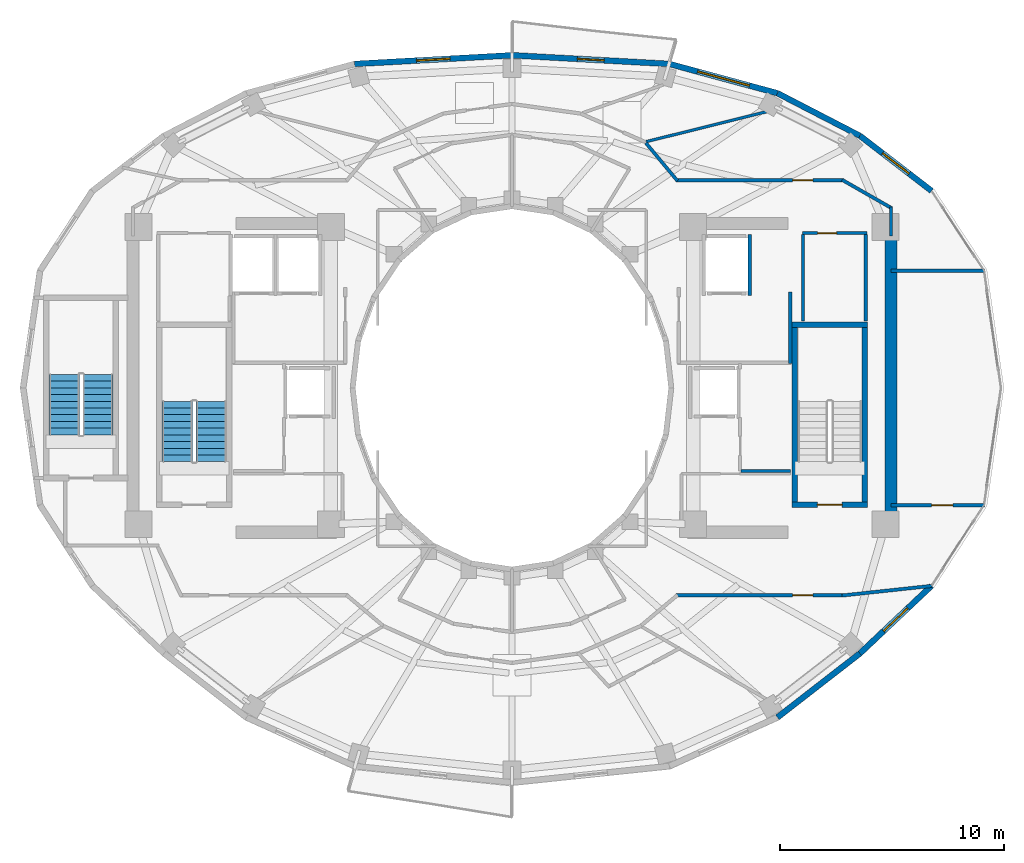
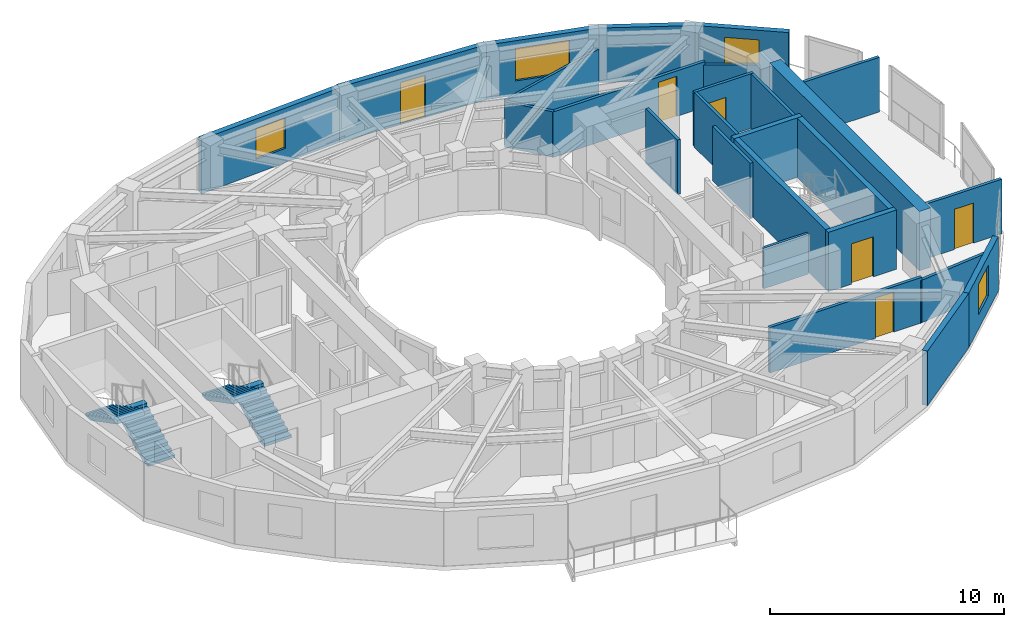
# One storey, part 9 of 12: 27 walls, 6 doors, 4 stair flights, 4 windows, 10 openings, 2 elements without a shape of their own.
"""IFC4 building model written with IfcOpenShell, lengths in metres."""

from ifc_helpers import new_model, si_unit, direction, frame, frame_2d, origin, place, context, subcontext, project, spatial, polyline, rectangle, outline, extrude, material, layer, layer_set, type_object, element, fill, aggregate, save


model = new_model("IFC4")

# Units and contexts
model_context = context("Model", 3, precision=1e-05, world=origin(), true_north=direction((0.0, 1.0)))
body_context = subcontext(model_context, "Body", "Model", "MODEL_VIEW")
ifc_project = project(units=[si_unit("LENGTHUNIT", "METRE"), si_unit("AREAUNIT", "SQUARE_METRE"), si_unit("VOLUMEUNIT", "CUBIC_METRE"), si_unit("PLANEANGLEUNIT", "RADIAN"), si_unit("MASSUNIT", "GRAM", prefix="KILO")], contexts=[model_context])

# Site, building, storey
site_placement = place(None, origin())
site = spatial("IfcSite", under=ifc_project, at=site_placement, CompositionType="ELEMENT")
building_placement = place(site_placement, origin())
building = spatial("IfcBuilding", under=site, at=building_placement, Name="Solvane Sanctuary Tower", CompositionType="ELEMENT")
storey_placement = place(building_placement, frame((0.0, 0.0, 214.0)))
storey = spatial("IfcBuildingStorey", under=building, at=storey_placement, Name="L65", CompositionType="ELEMENT", Elevation=214.0)

# Walls
ifc_material_1 = material(Name="Concrete C50/60", Category="concrete")
ifc_layer_1 = layer(ifc_material_1, 0.550048828125, Name="Concrete C50/60")
ifc_layer_set_1 = layer_set([ifc_layer_1], Name="Concrete C50/60")
wall_type_1 = type_object("IfcWallType", Name="Wall W-CORE-550", PredefinedType="SHEAR", material=ifc_layer_set_1)
wall_1_placement = place(storey_placement, frame((48.949951171875, 17.050048828125, 0.0), z_axis=(0.0, 0.0, 1.0), x_axis=(0.0, 1.0, 0.0)))
element("IfcWall", 1, at=wall_1_placement, inside=storey, type_object=wall_type_1, Name="L65 Core Shear Wall EC-E", PredefinedType="SHEAR", context=body_context, shape_type="SweptSolid", body=[
    extrude(rectangle(XDim=12.800048828125, YDim=0.550048828125, at=frame_2d((6.39990234375, 0.0))), origin(), (0.0, 0.0, 1.0), 3.10009765625),
])
ifc_material_2 = material(Name="Acoustic Gypsum Partition Board")
ifc_layer_2 = layer(ifc_material_2, 0.14990234375, Name="Acoustic Gypsum Partition Board")
ifc_layer_set_2 = layer_set([ifc_layer_2], Name="Acoustic Gypsum Partition Board")
wall_type_2 = type_object("IfcWallType", Name="Wall W-CORR-150", PredefinedType="PARTITIONING", material=ifc_layer_set_2)
wall_2_placement = place(storey_placement, frame((44.449951171875, 24.080078125, 0.0), z_axis=(0.0, 0.0, 1.0), x_axis=(0.0, 1.0, 0.0)))
element("IfcWall", 2, at=wall_2_placement, inside=storey, type_object=wall_type_2, Name="L65 East Firefighting Lobby East Wall", PredefinedType="PARTITIONING", context=body_context, shape_type="SweptSolid", body=[
    extrude(rectangle(XDim=3.199951171875, YDim=0.14990234375, at=frame_2d((1.60009765625, 0.0))), origin(), (0.0, 0.0, 1.0), 2.85498046875),
])

# Wall, opening, door
wall_3_placement = place(storey_placement, frame((48.949951171875, 17.754638671875, 0.0), z_axis=(0.0, 0.0, 1.0), x_axis=(1.0, 0.0, 0.0)))
wall_3 = element("IfcWall", 3, at=wall_3_placement, inside=storey, type_object=wall_type_2, Name="L65 East Shoulder South Wall", PredefinedType="PARTITIONING", context=body_context, shape_type="SweptSolid", body=[
    extrude(rectangle(XDim=4.174560546875, YDim=0.14990234375, at=frame_2d((2.08740234375, 0.0))), origin(), (0.0, 0.0, 1.0), 2.85498046875),
])
opening_1_placement = place(wall_3_placement, frame((1.817138671875, 0.0, 0.0)))
opening_1 = element("IfcOpeningElement", 4, at=opening_1_placement, cuts=wall_3, Name="Opening D-L65-18", PredefinedType="OPENING", context=body_context, shape_type="SweptSolid", body=[
    extrude(rectangle(XDim=0.949951171875, YDim=2.10009765625, at=frame_2d((0.47509765625, 1.050048828125))), frame((0.0, 0.0849609375, 0.0), z_axis=(0.0, -1.0, 0.0), x_axis=(1.0, 0.0, 0.0)), (0.0, 0.0, 1.0), 0.169921875),
])
ifc_material_3 = material(Name="Engineered Tropical Hardwood", Category="wood")
door_type_1 = type_object("IfcDoorType", Name="Door D-ROOM-950", OperationType="NOTDEFINED", PredefinedType="DOOR", material=ifc_material_3)
door_1_placement = place(opening_1_placement, origin())
door_1 = element("IfcDoor", 5, at=door_1_placement, inside=storey, type_object=door_type_1, Name="L65 East Shoulder South Door", OperationType="SINGLE_SWING_RIGHT", OverallHeight=2.10009765625, OverallWidth=0.949951171875, PredefinedType="DOOR", context=body_context, shape_type="SweptSolid", body=[
    extrude(rectangle(XDim=0.949951171875, YDim=2.10009765625, at=frame_2d((0.47509765625, 1.050048828125))), frame((0.0, 0.02490234375, 0.0), z_axis=(0.0, -1.0, 0.0), x_axis=(1.0, 0.0, 0.0)), (0.0, 0.0, 1.0), 0.050048828125),
])
fill(opening_1, door_1)

# Walls
wall_4_placement = place(storey_placement, frame((48.949951171875, 28.245361328125, 0.0), z_axis=(0.0, 0.0, 1.0), x_axis=(1.0, 0.0, 0.0)))
element("IfcWall", 6, at=wall_4_placement, inside=storey, type_object=wall_type_2, Name="L65 East Shoulder North Wall", PredefinedType="PARTITIONING", context=body_context, shape_type="SweptSolid", body=[
    extrude(rectangle(XDim=4.174560546875, YDim=0.14990234375, at=frame_2d((2.08740234375, 0.0))), origin(), (0.0, 0.0, 1.0), 2.85498046875),
])
wall_5_placement = place(storey_placement, frame((48.949951171875, 29.800048828125, 0.0), z_axis=(0.0, 0.0, 1.0), x_axis=(0.0, 1.0, 0.0)))
element("IfcWall", 7, at=wall_5_placement, inside=storey, type_object=wall_type_2, Name="L65 NE Corner Closer 1", PredefinedType="PARTITIONING", context=body_context, shape_type="SweptSolid", body=[
    extrude(rectangle(XDim=1.2900390625, YDim=0.14990234375, at=frame_2d((0.64501953125, 0.0))), origin(), (0.0, 0.0, 1.0), 2.85498046875),
])
wall_6_placement = place(storey_placement, frame((37.984130859375, 33.95458984375, 0.0), z_axis=(0.0, 0.0, 1.0), x_axis=(0.64030392053, -0.76812166312, 0.0)))
element("IfcWall", 8, at=wall_6_placement, inside=storey, type_object=wall_type_2, Name="L65 NE Corner Throat Wall", PredefinedType="PARTITIONING", context=body_context, shape_type="SweptSolid", body=[
    extrude(rectangle(XDim=2.2099609375, YDim=0.14990234375, at=frame_2d((1.10498046875, 0.0))), origin(), (0.0, 0.0, 1.0), 2.3759765625),
])

# Wall, opening, door
wall_7_placement = place(storey_placement, frame((39.330078125, 32.280029296875, 0.0), z_axis=(0.0, 0.0, 1.0), x_axis=(1.0, 0.0, 0.0)))
wall_7 = element("IfcWall", 9, at=wall_7_placement, inside=storey, type_object=wall_type_2, Name="L65 NE Corner Corridor Wall", PredefinedType="PARTITIONING", context=body_context, shape_type="SweptSolid", body=[
    extrude(rectangle(XDim=7.52001953125, YDim=0.14990234375, at=frame_2d((3.760009765625, 0.0))), origin(), (0.0, 0.0, 1.0), 2.3759765625),
])
opening_2_placement = place(wall_7_placement, frame((5.219970703125, 0.0, 0.0)))
opening_2 = element("IfcOpeningElement", 10, at=opening_2_placement, cuts=wall_7, Name="Opening D-L65-19", PredefinedType="OPENING", context=body_context, shape_type="SweptSolid", body=[
    extrude(rectangle(XDim=0.89990234375, YDim=2.10009765625, at=frame_2d((0.449951171875, 1.050048828125))), frame((0.0, 0.0849609375, 0.0), z_axis=(0.0, -1.0, 0.0), x_axis=(1.0, 0.0, 0.0)), (0.0, 0.0, 1.0), 0.169921875),
])
door_type_2 = type_object("IfcDoorType", Name="Door D-WET-900", OperationType="NOTDEFINED", PredefinedType="DOOR", material=ifc_material_3)
door_2_placement = place(opening_2_placement, origin())
door_2 = element("IfcDoor", 11, at=door_2_placement, inside=storey, type_object=door_type_2, Name="L65 NE Corner Salon Door", OperationType="SINGLE_SWING_LEFT", OverallHeight=2.10009765625, OverallWidth=0.89990234375, PredefinedType="DOOR", context=body_context, shape_type="SweptSolid", body=[
    extrude(rectangle(XDim=0.89990234375, YDim=2.10009765625, at=frame_2d((0.449951171875, 1.050048828125))), frame((0.0, 0.02490234375, 0.0), z_axis=(0.0, -1.0, 0.0), x_axis=(1.0, 0.0, 0.0)), (0.0, 0.0, 1.0), 0.050048828125),
])
fill(opening_2, door_2)

# Wall
wall_8_placement = place(storey_placement, frame((46.756591796875, 32.3046875, 0.0), z_axis=(0.0, 0.0, 1.0), x_axis=(0.867991349648, -0.496579315857, 0.0)))
element("IfcWall", 12, at=wall_8_placement, inside=storey, type_object=wall_type_2, Name="L65 NE Corner Wing Wall", PredefinedType="PARTITIONING", context=body_context, shape_type="SweptSolid", body=[
    extrude(rectangle(XDim=2.56689453125, YDim=0.14990234375, at=frame_2d((1.283447265625, 0.0))), origin(), (0.0, 0.0, 1.0), 2.219970703125),
])

# Wall, opening, door
wall_9_placement = place(storey_placement, frame((39.330078125, 13.719970703125, 0.0), z_axis=(0.0, 0.0, 1.0), x_axis=(1.0, 0.0, 0.0)))
wall_9 = element("IfcWall", 13, at=wall_9_placement, inside=storey, type_object=wall_type_2, Name="L65 SE Corner Corridor Wall", PredefinedType="PARTITIONING", context=body_context, shape_type="SweptSolid", body=[
    extrude(rectangle(XDim=7.52001953125, YDim=0.14990234375, at=frame_2d((3.760009765625, 0.0))), origin(), (0.0, 0.0, 1.0), 2.3759765625),
])
opening_3_placement = place(wall_9_placement, frame((5.219970703125, 0.0, 0.0)))
opening_3 = element("IfcOpeningElement", 14, at=opening_3_placement, cuts=wall_9, Name="Opening D-L65-23", PredefinedType="OPENING", context=body_context, shape_type="SweptSolid", body=[
    extrude(rectangle(XDim=0.89990234375, YDim=2.10009765625, at=frame_2d((0.449951171875, 1.050048828125))), frame((0.0, 0.0849609375, 0.0), z_axis=(0.0, -1.0, 0.0), x_axis=(1.0, 0.0, 0.0)), (0.0, 0.0, 1.0), 0.169921875),
])
door_3_placement = place(opening_3_placement, origin())
door_3 = element("IfcDoor", 15, at=door_3_placement, inside=storey, type_object=door_type_2, Name="L65 SE Corner Salon Door", OperationType="SINGLE_SWING_LEFT", OverallHeight=2.10009765625, OverallWidth=0.89990234375, PredefinedType="DOOR", context=body_context, shape_type="SweptSolid", body=[
    extrude(rectangle(XDim=0.89990234375, YDim=2.10009765625, at=frame_2d((0.449951171875, 1.050048828125))), frame((0.0, 0.02490234375, 0.0), z_axis=(0.0, -1.0, 0.0), x_axis=(1.0, 0.0, 0.0)), (0.0, 0.0, 1.0), 0.050048828125),
])
fill(opening_3, door_3)

# Wall
wall_10_placement = place(storey_placement, frame((46.750244140625, 13.714599609375, 0.0), z_axis=(0.0, 0.0, 1.0), x_axis=(0.994275802046, 0.106843949134, 0.0)))
element("IfcWall", 16, at=wall_10_placement, inside=storey, type_object=wall_type_2, Name="L65 SE Corner Wing Wall", PredefinedType="PARTITIONING", context=body_context, shape_type="SweptSolid", body=[
    extrude(rectangle(XDim=4.049072265625, YDim=0.14990234375, at=frame_2d((2.0244140625, 0.0))), origin(), (0.0, 0.0, 1.0), 2.219970703125),
])

# Wall, opening, window
ifc_material_4 = material(Name="Precast concrete C40/50", Category="concrete")
ifc_layer_3 = layer(ifc_material_4, 0.260009765625, Name="Precast concrete C40/50")
ifc_layer_set_3 = layer_set([ifc_layer_3], Name="Precast concrete C40/50")
wall_type_3 = type_object("IfcWallType", Name="Wall W-EXT-250", PredefinedType="STANDARD", material=ifc_layer_set_3)
wall_11_placement = place(storey_placement, frame((50.760986328125, 31.80908203125, 0.0), z_axis=(0.0, 0.0, 1.0), x_axis=(-0.792713817907, 0.609593965603, 0.0)))
wall_11 = element("IfcWall", 17, at=wall_11_placement, inside=storey, type_object=wall_type_3, Name="L65 Ceramic-Printed Facade Wall 02", PredefinedType="STANDARD", context=body_context, shape_type="SweptSolid", body=[
    extrude(rectangle(XDim=4.041015625, YDim=0.260009765625, at=frame_2d((2.0205078125, 0.0))), origin(), (0.0, 0.0, 1.0), 2.85009765625),
])
opening_4_placement = place(wall_11_placement, frame((1.2705078125, 0.0, 0.75)))
opening_4 = element("IfcOpeningElement", 18, at=opening_4_placement, cuts=wall_11, Name="Opening WN-OPER-1500", PredefinedType="OPENING", context=body_context, shape_type="SweptSolid", body=[
    extrude(rectangle(XDim=1.5, YDim=1.60009765625, at=frame_2d((0.75, 0.800048828125))), frame((0.0, 0.139892578125, 0.0), z_axis=(0.0, -1.0, 0.0), x_axis=(1.0, 0.0, 0.0)), (0.0, 0.0, 1.0), 0.280029296875),
])
ifc_material_5 = material(Name="Dark Ceramic-Fritted Low-E Glass", Category="glass")
window_type_1 = type_object("IfcWindowType", Name="Window WN-OPER-1500", PartitioningType="SINGLE_PANEL", PredefinedType="WINDOW", material=ifc_material_5)
window_1_placement = place(opening_4_placement, origin())
window_1 = element("IfcWindow", 19, at=window_1_placement, inside=storey, type_object=window_type_1, Name="L65 Operable Facade Window 02", OverallHeight=1.60009765625, OverallWidth=1.5, PartitioningType="SINGLE_PANEL", PredefinedType="WINDOW", context=body_context, shape_type="SweptSolid", body=[
    extrude(rectangle(XDim=1.5, YDim=1.60009765625, at=frame_2d((0.75, 0.800048828125))), frame((0.0, 0.030029296875, 0.0), z_axis=(0.0, -1.0, 0.0), x_axis=(1.0, 0.0, 0.0)), (0.0, 0.0, 1.0), 0.06005859375),
])
fill(opening_4, window_1)

# Wall
wall_12_placement = place(storey_placement, frame((47.5576171875, 34.2724609375, 0.0), z_axis=(0.0, 0.0, 1.0), x_axis=(-0.88849146803, 0.458893137057, 0.0)))
element("IfcWall", 20, at=wall_12_placement, inside=storey, type_object=wall_type_3, Name="L65 Ceramic-Printed Facade Wall 03", PredefinedType="STANDARD", context=body_context, shape_type="SweptSolid", body=[
    extrude(rectangle(XDim=4.150390625, YDim=0.260009765625, at=frame_2d((2.0751953125, 0.0))), origin(), (0.0, 0.0, 1.0), 2.85009765625),
])

# Wall, opening, window
wall_13_placement = place(storey_placement, frame((43.8701171875, 36.177001953125, 0.0), z_axis=(0.0, 0.0, 1.0), x_axis=(-0.965213026382, 0.261464746576, 0.0)))
wall_13 = element("IfcWall", 21, at=wall_13_placement, inside=storey, type_object=wall_type_3, Name="L65 Ceramic-Printed Facade Wall 04", PredefinedType="STANDARD", context=body_context, shape_type="SweptSolid", body=[
    extrude(rectangle(XDim=5.001220703125, YDim=0.260009765625, at=frame_2d((2.50048828125, 0.0))), origin(), (0.0, 0.0, 1.0), 2.85009765625),
])
opening_5_placement = place(wall_13_placement, frame((1.300537109375, 0.0, 0.75)))
opening_5 = element("IfcOpeningElement", 22, at=opening_5_placement, cuts=wall_13, Name="Opening WN-RIB-2400", PredefinedType="OPENING", context=body_context, shape_type="SweptSolid", body=[
    extrude(rectangle(XDim=2.39990234375, YDim=1.699951171875, at=frame_2d((1.199951171875, 0.85009765625))), frame((0.0, 0.139892578125, 0.0), z_axis=(0.0, -1.0, 0.0), x_axis=(1.0, 0.0, 0.0)), (0.0, 0.0, 1.0), 0.280029296875),
])
window_type_2 = type_object("IfcWindowType", Name="Window WN-RIB-2400", PartitioningType="SINGLE_PANEL", PredefinedType="WINDOW", material=ifc_material_5)
window_2_placement = place(opening_5_placement, origin())
window_2 = element("IfcWindow", 23, at=window_2_placement, inside=storey, type_object=window_type_2, Name="L65 Operable Facade Window 04", OverallHeight=1.699951171875, OverallWidth=2.39990234375, PartitioningType="SINGLE_PANEL", PredefinedType="WINDOW", context=body_context, shape_type="SweptSolid", body=[
    extrude(rectangle(XDim=2.39990234375, YDim=1.699951171875, at=frame_2d((1.199951171875, 0.85009765625))), frame((0.0, 0.030029296875, 0.0), z_axis=(0.0, -1.0, 0.0), x_axis=(1.0, 0.0, 0.0)), (0.0, 0.0, 1.0), 0.06005859375),
])
fill(opening_5, window_2)

# Wall, opening, door
wall_14_placement = place(storey_placement, frame((39.04296875, 37.484619140625, 0.0), z_axis=(0.0, 0.0, 1.0), x_axis=(-0.998490239527, 0.054929423535, 0.0)))
wall_14 = element("IfcWall", 24, at=wall_14_placement, inside=storey, type_object=wall_type_3, Name="L65 Balcony Facade Wall NC", PredefinedType="STANDARD", context=body_context, shape_type="SweptSolid", body=[
    extrude(rectangle(XDim=7.0537109375, YDim=0.260009765625, at=frame_2d((3.52685546875, 0.0))), origin(), (0.0, 0.0, 1.0), 2.8798828125),
])
opening_6_placement = place(wall_14_placement, frame((2.9267578125, 0.0, 0.0)))
opening_6 = element("IfcOpeningElement", 25, at=opening_6_placement, cuts=wall_14, Name="Opening D-L65-01", PredefinedType="OPENING", context=body_context, shape_type="SweptSolid", body=[
    extrude(rectangle(XDim=1.199951171875, YDim=2.199951171875, at=frame_2d((0.60009765625, 1.10009765625))), frame((0.0, 0.139892578125, 0.0), z_axis=(0.0, -1.0, 0.0), x_axis=(1.0, 0.0, 0.0)), (0.0, 0.0, 1.0), 0.280029296875),
])
ifc_material_6 = material(Name="Anodised Aluminium 6063-T6", Category="aluminium")
door_type_3 = type_object("IfcDoorType", Name="Door D-BALC-1200", OperationType="NOTDEFINED", PredefinedType="DOOR", material=ifc_material_6)
door_4_placement = place(opening_6_placement, origin())
door_4 = element("IfcDoor", 26, at=door_4_placement, inside=storey, type_object=door_type_3, Name="L65 Glazed Balcony Door NC", OperationType="SINGLE_SWING_RIGHT", OverallHeight=2.199951171875, OverallWidth=1.199951171875, PredefinedType="DOOR", context=body_context, shape_type="SweptSolid", body=[
    extrude(rectangle(XDim=1.199951171875, YDim=2.199951171875, at=frame_2d((0.60009765625, 1.10009765625))), frame((0.0, 0.02490234375, 0.0), z_axis=(0.0, -1.0, 0.0), x_axis=(1.0, 0.0, 0.0)), (0.0, 0.0, 1.0), 0.050048828125),
])
fill(opening_6, door_4)

# Wall, opening, window
wall_15_placement = place(storey_placement, frame((32.0, 37.8720703125, 0.0), z_axis=(0.0, 0.0, 1.0), x_axis=(-0.998490239527, -0.054929423535, 0.0)))
wall_15 = element("IfcWall", 27, at=wall_15_placement, inside=storey, type_object=wall_type_3, Name="L65 Ceramic-Printed Facade Wall 06", PredefinedType="STANDARD", context=body_context, shape_type="SweptSolid", body=[
    extrude(rectangle(XDim=7.0537109375, YDim=0.260009765625, at=frame_2d((3.52685546875, 0.0))), origin(), (0.0, 0.0, 1.0), 2.85009765625),
])
opening_7_placement = place(wall_15_placement, frame((2.77685546875, 0.0, 0.75)))
opening_7 = element("IfcOpeningElement", 28, at=opening_7_placement, cuts=wall_15, Name="Opening WN-OPER-1500", PredefinedType="OPENING", context=body_context, shape_type="SweptSolid", body=[
    extrude(rectangle(XDim=1.5, YDim=1.60009765625, at=frame_2d((0.75, 0.800048828125))), frame((0.0, 0.139892578125, 0.0), z_axis=(0.0, -1.0, 0.0), x_axis=(1.0, 0.0, 0.0)), (0.0, 0.0, 1.0), 0.280029296875),
])
window_3_placement = place(opening_7_placement, origin())
window_3 = element("IfcWindow", 29, at=window_3_placement, inside=storey, type_object=window_type_1, Name="L65 Operable Facade Window 06", OverallHeight=1.60009765625, OverallWidth=1.5, PartitioningType="SINGLE_PANEL", PredefinedType="WINDOW", context=body_context, shape_type="SweptSolid", body=[
    extrude(rectangle(XDim=1.5, YDim=1.60009765625, at=frame_2d((0.75, 0.800048828125))), frame((0.0, 0.030029296875, 0.0), z_axis=(0.0, -1.0, 0.0), x_axis=(1.0, 0.0, 0.0)), (0.0, 0.0, 1.0), 0.06005859375),
])
fill(opening_7, window_3)

# Wall
wall_16_placement = place(storey_placement, frame((43.8701171875, 8.267333984375, 0.0), z_axis=(0.0, 0.0, 1.0), x_axis=(0.790126214723, 0.612944177563, 0.0)))
element("IfcWall", 30, at=wall_16_placement, inside=storey, type_object=wall_type_3, Name="L65 Ceramic-Printed Facade Wall 20", PredefinedType="STANDARD", context=body_context, shape_type="SweptSolid", body=[
    extrude(rectangle(XDim=4.6669921875, YDim=0.260009765625, at=frame_2d((2.33349609375, 0.0))), origin(), (0.0, 0.0, 1.0), 2.85009765625),
])

# Wall, opening, window
wall_17_placement = place(storey_placement, frame((47.5576171875, 11.1279296875, 0.0), z_axis=(0.0, 0.0, 1.0), x_axis=(0.72731899451, 0.686299555752, 0.0)))
wall_17 = element("IfcWall", 31, at=wall_17_placement, inside=storey, type_object=wall_type_3, Name="L65 Ceramic-Printed Facade Wall 21", PredefinedType="STANDARD", context=body_context, shape_type="SweptSolid", body=[
    extrude(rectangle(XDim=4.404296875, YDim=0.260009765625, at=frame_2d((2.2021484375, 0.0))), origin(), (0.0, 0.0, 1.0), 2.85009765625),
])
opening_8_placement = place(wall_17_placement, frame((1.4521484375, 0.0, 0.75)))
opening_8 = element("IfcOpeningElement", 32, at=opening_8_placement, cuts=wall_17, Name="Opening WN-OPER-1500", PredefinedType="OPENING", context=body_context, shape_type="SweptSolid", body=[
    extrude(rectangle(XDim=1.5, YDim=1.60009765625, at=frame_2d((0.75, 0.800048828125))), frame((0.0, 0.139892578125, 0.0), z_axis=(0.0, -1.0, 0.0), x_axis=(1.0, 0.0, 0.0)), (0.0, 0.0, 1.0), 0.280029296875),
])
window_4_placement = place(opening_8_placement, origin())
window_4 = element("IfcWindow", 33, at=window_4_placement, inside=storey, type_object=window_type_1, Name="L65 Operable Facade Window 21", OverallHeight=1.60009765625, OverallWidth=1.5, PartitioningType="SINGLE_PANEL", PredefinedType="WINDOW", context=body_context, shape_type="SweptSolid", body=[
    extrude(rectangle(XDim=1.5, YDim=1.60009765625, at=frame_2d((0.75, 0.800048828125))), frame((0.0, 0.030029296875, 0.0), z_axis=(0.0, -1.0, 0.0), x_axis=(1.0, 0.0, 0.0)), (0.0, 0.0, 1.0), 0.06005859375),
])
fill(opening_8, window_4)

# Walls
ifc_layer_4 = layer(ifc_material_2, 0.125, Name="Acoustic Gypsum Partition Board")
ifc_layer_set_4 = layer_set([ifc_layer_4], Name="Acoustic Gypsum Partition Board")
wall_type_4 = type_object("IfcWallType", Name="Wall W-PART-125", PredefinedType="PARTITIONING", material=ifc_layer_set_4)
wall_18_placement = place(storey_placement, frame((42.239990234375, 19.280029296875, 0.0), z_axis=(0.0, 0.0, 1.0), x_axis=(1.0, 0.0, 0.0)))
element("IfcWall", 34, at=wall_18_placement, inside=storey, type_object=wall_type_4, Name="L65 Reclaimed Room Closer Wall PME-1", PredefinedType="PARTITIONING", context=body_context, shape_type="SweptSolid", body=[
    extrude(rectangle(XDim=2.2099609375, YDim=0.125, at=frame_2d((1.10498046875, 0.0))), origin(), (0.0, 0.0, 1.0), 2.1201171875),
])
wall_19_placement = place(storey_placement, frame((38.00244140625, 34.010009765625, 0.0), z_axis=(0.0, 0.0, 1.0), x_axis=(0.970445810114, 0.241319144769, 0.0)))
element("IfcWall", 35, at=wall_19_placement, inside=storey, type_object=wall_type_4, Name="L65 Radial Compartment Wall 060", PredefinedType="PARTITIONING", context=body_context, shape_type="SweptSolid", body=[
    extrude(rectangle(XDim=5.52587890625, YDim=0.125, at=frame_2d((2.762939453125, 0.0))), origin(), (0.0, 0.0, 1.0), 2.3759765625),
])
ifc_layer_5 = layer(ifc_material_1, 0.14990234375, Name="Concrete C50/60")
ifc_layer_set_5 = layer_set([ifc_layer_5], Name="Concrete C50/60")
wall_type_5 = type_object("IfcWallType", Name="Wall W-SHAFT-150", PredefinedType="SOLIDWALL", material=ifc_layer_set_5)
wall_20_placement = place(storey_placement, frame((42.6298828125, 27.139892578125, 0.0), z_axis=(0.0, 0.0, 1.0), x_axis=(0.0, 1.0, 0.0)))
element("IfcWall", 36, at=wall_20_placement, inside=storey, type_object=wall_type_5, Name="L65 FFL-2 Lift Shaft Wall S2", PredefinedType="SOLIDWALL", context=body_context, shape_type="SweptSolid", body=[
    extrude(rectangle(XDim=2.72021484375, YDim=0.14990234375, at=frame_2d((1.360107421875, 0.0))), origin(), (0.0, 0.0, 1.0), 2.85498046875),
])

# Wall, opening, door
ifc_layer_6 = layer(ifc_material_1, 0.25, Name="Concrete C50/60")
ifc_layer_set_6 = layer_set([ifc_layer_6], Name="Concrete C50/60")
wall_type_6 = type_object("IfcWallType", Name="Wall W-SHAFT-250", PredefinedType="SOLIDWALL", material=ifc_layer_set_6)
wall_21_placement = place(storey_placement, frame((44.52490234375, 17.77001953125, 0.0), z_axis=(0.0, 0.0, 1.0), x_axis=(1.0, 0.0, 0.0)))
wall_21 = element("IfcWall", 37, at=wall_21_placement, inside=storey, type_object=wall_type_6, Name="L65 ST-2 Load-Bearing Shaft Wall S", PredefinedType="SOLIDWALL", context=body_context, shape_type="SweptSolid", body=[
    extrude(rectangle(XDim=3.3701171875, YDim=0.25, at=frame_2d((1.68505859375, 0.0))), origin(), (0.0, 0.0, 1.0), 3.10009765625),
])
opening_9_placement = place(wall_21_placement, frame((1.135009765625, 0.0, 0.0)))
opening_9 = element("IfcOpeningElement", 38, at=opening_9_placement, cuts=wall_21, Name="Opening D-L65-04", PredefinedType="OPENING", context=body_context, shape_type="SweptSolid", body=[
    extrude(rectangle(XDim=1.10009765625, YDim=2.10009765625, at=frame_2d((0.550048828125, 1.050048828125))), frame((0.0, 0.135009765625, 0.0), z_axis=(0.0, -1.0, 0.0), x_axis=(1.0, 0.0, 0.0)), (0.0, 0.0, 1.0), 0.27001953125),
])
ifc_material_7 = material(Name="Architectural Stainless Steel 316", Category="steel")
door_type_4 = type_object("IfcDoorType", Name="Door D-STAIR", OperationType="NOTDEFINED", PredefinedType="DOOR", material=ifc_material_7)
door_5_placement = place(opening_9_placement, origin())
door_5 = element("IfcDoor", 39, at=door_5_placement, inside=storey, type_object=door_type_4, Name="L65 ST-2 Exit Stair Fire Door", OperationType="SINGLE_SWING_RIGHT", OverallHeight=2.10009765625, OverallWidth=1.10009765625, PredefinedType="DOOR", context=body_context, shape_type="SweptSolid", body=[
    extrude(rectangle(XDim=1.10009765625, YDim=2.10009765625, at=frame_2d((0.550048828125, 1.050048828125))), frame((0.0, 0.02490234375, 0.0), z_axis=(0.0, -1.0, 0.0), x_axis=(1.0, 0.0, 0.0)), (0.0, 0.0, 1.0), 0.050048828125),
])
fill(opening_9, door_5)

# Walls
wall_22_placement = place(storey_placement, frame((44.52490234375, 25.830078125, 0.0), z_axis=(0.0, 0.0, 1.0), x_axis=(1.0, 0.0, 0.0)))
element("IfcWall", 40, at=wall_22_placement, inside=storey, type_object=wall_type_6, Name="L65 ST-2 Load-Bearing Shaft Wall N", PredefinedType="SOLIDWALL", context=body_context, shape_type="SweptSolid", body=[
    extrude(rectangle(XDim=3.3701171875, YDim=0.25, at=frame_2d((1.68505859375, 0.0))), origin(), (0.0, 0.0, 1.0), 3.10009765625),
])
for number, where, z_axis, x_axis, name in (
    (41, (44.64990234375, 17.89501953125, 0.0), (0.0, 0.0, 1.0), (0.0, 1.0, 0.0), "L65 ST-2 Load-Bearing Shaft Wall W"),
    (42, (47.77001953125, 17.89501953125, 0.0), (0.0, 0.0, 1.0), (0.0, 1.0, 0.0), "L65 ST-2 Load-Bearing Shaft Wall E"),
):
    element("IfcWall", number, at=place(storey_placement, frame(where, z_axis=z_axis, x_axis=x_axis)), inside=storey, type_object=wall_type_6, Name=name, PredefinedType="SOLIDWALL", context=body_context, shape_type="SweptSolid", body=[
        extrude(rectangle(XDim=7.81005859375, YDim=0.25, at=frame_2d((3.905029296875, 0.0))), origin(), (0.0, 0.0, 1.0), 3.10009765625),
    ])

# Wall, opening, door
ifc_layer_7 = layer(ifc_material_2, 0.139892578125, Name="Acoustic Gypsum Partition Board")
ifc_layer_set_7 = layer_set([ifc_layer_7], Name="Acoustic Gypsum Partition Board")
wall_type_7 = type_object("IfcWallType", Name="Wall W-WET-140", PredefinedType="PLUMBINGWALL", material=ifc_layer_set_7)
wall_23_placement = place(storey_placement, frame((44.97998046875, 29.919921875, 0.0), z_axis=(0.0, 0.0, 1.0), x_axis=(1.0, 0.0, 0.0)))
wall_23 = element("IfcWall", 43, at=wall_23_placement, inside=storey, type_object=wall_type_7, Name="L65 Core Service Front Wall KE0", PredefinedType="PLUMBINGWALL", context=body_context, shape_type="SweptSolid", body=[
    extrude(rectangle(XDim=2.89990234375, YDim=0.139892578125, at=frame_2d((1.449951171875, 0.0))), origin(), (0.0, 0.0, 1.0), 2.85498046875),
])
opening_10_placement = place(wall_23_placement, frame((0.685546875, 0.0, 0.0)))
opening_10 = element("IfcOpeningElement", 44, at=opening_10_placement, cuts=wall_23, Name="Opening D-L65-13", PredefinedType="OPENING", context=body_context, shape_type="SweptSolid", body=[
    extrude(rectangle(XDim=0.85009765625, YDim=2.050048828125, at=frame_2d((0.425048828125, 1.02490234375))), frame((0.0, 0.079833984375, 0.0), z_axis=(0.0, -1.0, 0.0), x_axis=(1.0, 0.0, 0.0)), (0.0, 0.0, 1.0), 0.159912109375),
])
door_type_5 = type_object("IfcDoorType", Name="Door D-RISER", OperationType="NOTDEFINED", PredefinedType="DOOR", material=ifc_material_7)
door_6_placement = place(opening_10_placement, origin())
door_6 = element("IfcDoor", 45, at=door_6_placement, inside=storey, type_object=door_type_5, Name="L65 Core Service Room Door KE0-1", OperationType="SINGLE_SWING_LEFT", OverallHeight=2.050048828125, OverallWidth=0.85009765625, PredefinedType="DOOR", context=body_context, shape_type="SweptSolid", body=[
    extrude(rectangle(XDim=0.85009765625, YDim=2.050048828125, at=frame_2d((0.425048828125, 1.02490234375))), frame((0.0, 0.02490234375, 0.0), z_axis=(0.0, -1.0, 0.0), x_axis=(1.0, 0.0, 0.0)), (0.0, 0.0, 1.0), 0.050048828125),
])
fill(opening_10, door_6)

# Walls
for number, where, z_axis, x_axis, name in (
    (46, (45.02001953125, 25.97998046875, 0.0), (0.0, 0.0, 1.0), (0.0, 1.0, 0.0), "L65 Core Service Side Wall KE0-1"),
    (47, (47.820068359375, 25.97998046875, 0.0), (0.0, 0.0, 1.0), (0.0, 1.0, 0.0), "L65 Core Service Side Wall KE0-2"),
):
    element("IfcWall", number, at=place(storey_placement, frame(where, z_axis=z_axis, x_axis=x_axis)), inside=storey, type_object=wall_type_7, Name=name, PredefinedType="PLUMBINGWALL", context=body_context, shape_type="SweptSolid", body=[
        extrude(rectangle(XDim=3.880126953125, YDim=0.139892578125, at=frame_2d((1.93994140625, 0.0))), origin(), (0.0, 0.0, 1.0), 2.85498046875),
    ])

# Stair, stair flights
ifc_material_8 = material(Name="Concrete C45/55", Category="concrete")
stair_type = type_object("IfcStairType", Name="Stair ST-TOW", PredefinedType="HALF_TURN_STAIR", material=ifc_material_8)
stair_1_placement = place(storey_placement, origin())
stair_1 = element("IfcStair", 48, at=stair_1_placement, inside=storey, type_object=stair_type, Name="L65 Exit Stair ST-1 West Core", PredefinedType="HALF_TURN_STAIR")
stair_flight_type = type_object("IfcStairFlightType", Name="StairFlight SF-TOW", PredefinedType="STRAIGHT", material=ifc_material_8)
stair_flight_1_placement = place(storey_placement, frame((18.544921875, 19.699951171875, 0.0), z_axis=(0.0, 0.0, 1.0), x_axis=(0.0, 1.0, 0.0)))
stair_flight_1 = element("IfcStairFlight", 49, at=stair_flight_1_placement, type_object=stair_flight_type, Name="ST-1 flight 1", NumberOfRisers=10, NumberOfTreads=9, PredefinedType="STRAIGHT", RiserHeight=0.155, TreadLength=0.3, context=body_context, shape_type="SweptSolid", body=[
    extrude(outline(polyline([(0.0, 0.0), (0.0, 0.155029296875), (0.300048828125, 0.155029296875), (0.300048828125, 0.31005859375), (0.60009765625, 0.31005859375), (0.60009765625, 0.465087890625), (0.89990234375, 0.465087890625), (0.89990234375, 0.6201171875), (1.199951171875, 0.6201171875), (1.199951171875, 0.77490234375), (1.5, 0.77490234375), (1.5, 0.929931640625), (1.800048828125, 0.929931640625), (1.800048828125, 1.0849609375), (2.10009765625, 1.0849609375), (2.10009765625, 1.239990234375), (2.39990234375, 1.239990234375), (2.39990234375, 1.39501953125), (2.699951171875, 1.39501953125), (2.699951171875, 1.550048828125), (2.699951171875, 1.1923828125), (0.39208984375, 0.0), (0.0, 0.0)])), frame((0.0, 0.675048828125, 0.0), z_axis=(0.0, -1.0, 0.0), x_axis=(1.0, 0.0, 0.0)), (0.0, 0.0, 1.0), 1.35009765625),
])
stair_flight_2_placement = place(storey_placement, frame((17.034912109375, 22.39990234375, 1.550048828125), z_axis=(0.0, 0.0, 1.0), x_axis=(0.0, -1.0, 0.0)))
stair_flight_2 = element("IfcStairFlight", 50, at=stair_flight_2_placement, type_object=stair_flight_type, Name="ST-1 flight 2", NumberOfRisers=10, NumberOfTreads=9, PredefinedType="STRAIGHT", RiserHeight=0.155, TreadLength=0.3, context=body_context, shape_type="SweptSolid", body=[
    extrude(outline(polyline([(0.0, 0.0), (0.0, 0.155029296875), (0.300048828125, 0.155029296875), (0.300048828125, 0.31005859375), (0.60009765625, 0.31005859375), (0.60009765625, 0.465087890625), (0.89990234375, 0.465087890625), (0.89990234375, 0.6201171875), (1.199951171875, 0.6201171875), (1.199951171875, 0.77490234375), (1.5, 0.77490234375), (1.5, 0.929931640625), (1.800048828125, 0.929931640625), (1.800048828125, 1.0849609375), (2.10009765625, 1.0849609375), (2.10009765625, 1.239990234375), (2.39990234375, 1.239990234375), (2.39990234375, 1.39501953125), (2.699951171875, 1.39501953125), (2.699951171875, 1.550048828125), (2.699951171875, 1.1923828125), (0.39208984375, 0.0), (0.0, 0.0)])), frame((0.0, 0.675048828125, 0.0), z_axis=(0.0, -1.0, 0.0), x_axis=(1.0, 0.0, 0.0)), (0.0, 0.0, 1.0), 1.35009765625),
])
aggregate(stair_1, [stair_flight_1, stair_flight_2])

stair_2_placement = place(storey_placement, origin())
stair_2 = element("IfcStair", 51, at=stair_2_placement, inside=storey, type_object=stair_type, Name="L65 Exit Stair ST-3 Pilgrim Tower Stair", PredefinedType="HALF_TURN_STAIR")
stair_flight_3_placement = place(storey_placement, frame((13.485107421875, 20.89990234375, 0.0), z_axis=(0.0, 0.0, 1.0), x_axis=(0.0, 1.0, 0.0)))
stair_flight_3 = element("IfcStairFlight", 52, at=stair_flight_3_placement, type_object=stair_flight_type, Name="ST-3 flight 1", NumberOfRisers=10, NumberOfTreads=9, PredefinedType="STRAIGHT", RiserHeight=0.155, TreadLength=0.3, context=body_context, shape_type="SweptSolid", body=[
    extrude(outline(polyline([(0.0, 0.0), (0.0, 0.155029296875), (0.300048828125, 0.155029296875), (0.300048828125, 0.31005859375), (0.60009765625, 0.31005859375), (0.60009765625, 0.465087890625), (0.89990234375, 0.465087890625), (0.89990234375, 0.6201171875), (1.199951171875, 0.6201171875), (1.199951171875, 0.77490234375), (1.5, 0.77490234375), (1.5, 0.929931640625), (1.800048828125, 0.929931640625), (1.800048828125, 1.0849609375), (2.10009765625, 1.0849609375), (2.10009765625, 1.239990234375), (2.39990234375, 1.239990234375), (2.39990234375, 1.39501953125), (2.699951171875, 1.39501953125), (2.699951171875, 1.550048828125), (2.699951171875, 1.1923828125), (0.39208984375, 0.0), (0.0, 0.0)])), frame((0.0, 0.675048828125, 0.0), z_axis=(0.0, -1.0, 0.0), x_axis=(1.0, 0.0, 0.0)), (0.0, 0.0, 1.0), 1.35009765625),
])
stair_flight_4_placement = place(storey_placement, frame((11.97509765625, 23.60009765625, 1.550048828125), z_axis=(0.0, 0.0, 1.0), x_axis=(0.0, -1.0, 0.0)))
stair_flight_4 = element("IfcStairFlight", 53, at=stair_flight_4_placement, type_object=stair_flight_type, Name="ST-3 flight 2", NumberOfRisers=10, NumberOfTreads=9, PredefinedType="STRAIGHT", RiserHeight=0.155, TreadLength=0.3, context=body_context, shape_type="SweptSolid", body=[
    extrude(outline(polyline([(0.0, 0.0), (0.0, 0.155029296875), (0.300048828125, 0.155029296875), (0.300048828125, 0.31005859375), (0.60009765625, 0.31005859375), (0.60009765625, 0.465087890625), (0.89990234375, 0.465087890625), (0.89990234375, 0.6201171875), (1.199951171875, 0.6201171875), (1.199951171875, 0.77490234375), (1.5, 0.77490234375), (1.5, 0.929931640625), (1.800048828125, 0.929931640625), (1.800048828125, 1.0849609375), (2.10009765625, 1.0849609375), (2.10009765625, 1.239990234375), (2.39990234375, 1.239990234375), (2.39990234375, 1.39501953125), (2.699951171875, 1.39501953125), (2.699951171875, 1.550048828125), (2.699951171875, 1.1923828125), (0.39208984375, 0.0), (0.0, 0.0)])), frame((0.0, 0.675048828125, 0.0), z_axis=(0.0, -1.0, 0.0), x_axis=(1.0, 0.0, 0.0)), (0.0, 0.0, 1.0), 1.35009765625),
])
aggregate(stair_2, [stair_flight_3, stair_flight_4])

save(model, "model.ifc")
